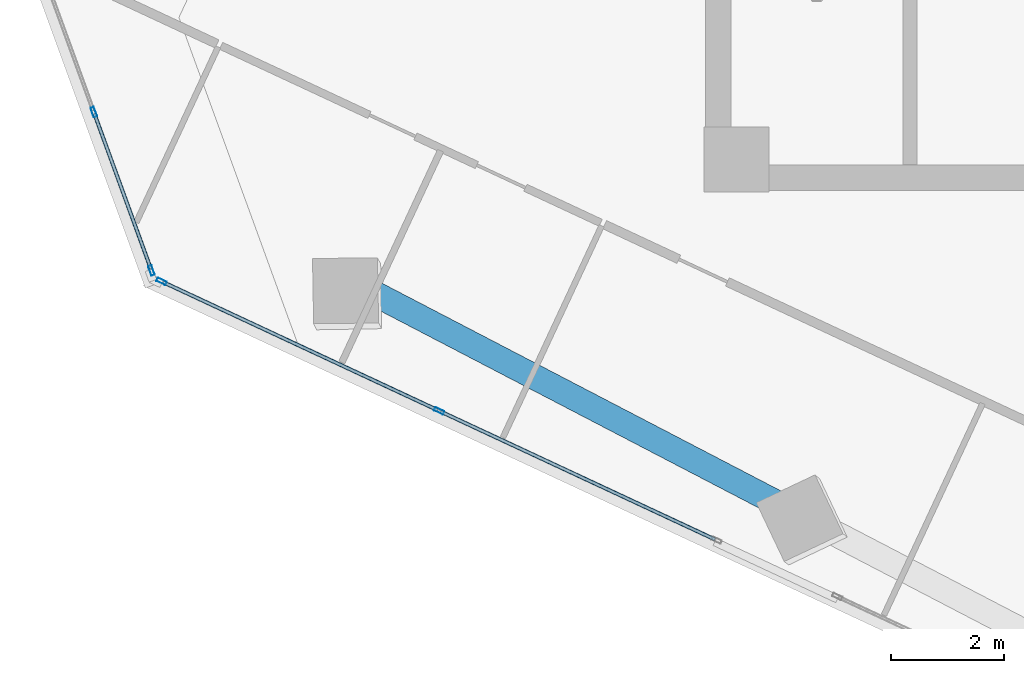
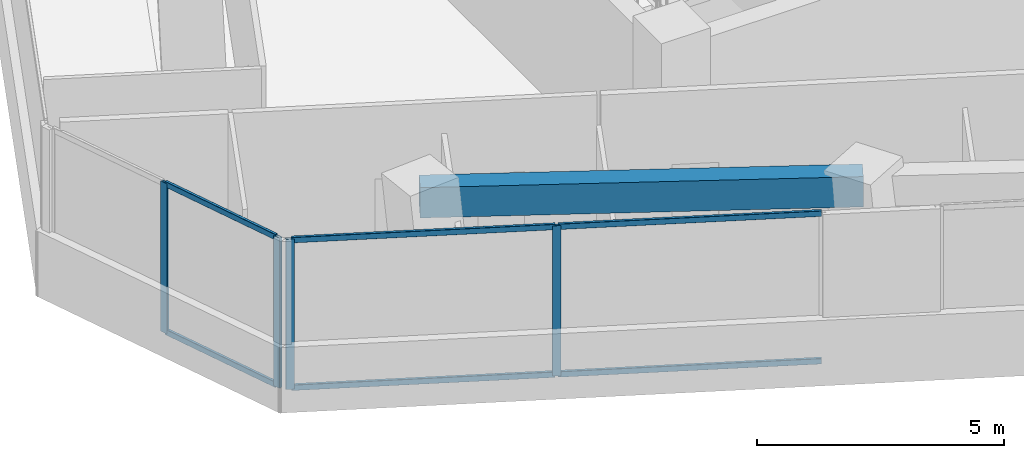
# One storey, part 3 of 21: 10 members, 1 beam, 2 elements without a shape of their own.
"""IFC4 building model written with IfcOpenShell, lengths in metres."""

from ifc_helpers import new_model, si_unit, direction, frame, origin, origin_2d, place, context, subcontext, project, spatial, rectangle, hollow_rectangle, extrude, source, transform, mapped, material, material_profile, profile_set, type_object, element, aggregate, save


model = new_model("IFC4")

# Units and contexts
model_context = context("Model", 3, precision=1e-05, world=origin(), true_north=direction((0.0, 1.0)))
body_context = subcontext(model_context, "Body", "Model", "MODEL_VIEW")
ifc_project = project(units=[si_unit("LENGTHUNIT", "METRE"), si_unit("AREAUNIT", "SQUARE_METRE"), si_unit("VOLUMEUNIT", "CUBIC_METRE"), si_unit("PLANEANGLEUNIT", "RADIAN"), si_unit("MASSUNIT", "GRAM", prefix="KILO")], contexts=[model_context])

# Site, building, storey
site_placement = place(None, origin())
site = spatial("IfcSite", under=ifc_project, at=site_placement, CompositionType="ELEMENT")
building_placement = place(site_placement, origin())
building = spatial("IfcBuilding", under=site, at=building_placement, Name="Torre Montelarca", CompositionType="ELEMENT")
storey_placement = place(building_placement, frame((0.0, 0.0, 162.39990234375)))
storey = spatial("IfcBuildingStorey", under=building, at=storey_placement, Name="L36", CompositionType="ELEMENT", Elevation=162.39990234375)

# Beam
ifc_material_1 = material(Name="Concrete C55/67", Category="concrete")
ifc_material_profile_1 = material_profile(ifc_material_1, rectangle(XDim=0.449951171875, YDim=0.75, at=origin_2d()), Name="RCB450X750", Category="concrete")
ifc_profile_set_1 = profile_set([ifc_material_profile_1], Name="Concrete C55/67")
beam_type = type_object("IfcBeamType", Name="BM-SP-RC750-EXT", PredefinedType="SPANDREL", material=ifc_profile_set_1)
shared_shape_1 = source(origin(), body_context, "Body", "SweptSolid", [
    extrude(rectangle(XDim=0.449951171875, YDim=0.75, at=origin_2d()), origin(), (0.0, 0.0, 1.0), 9.0),
])
beam_placement = place(storey_placement, frame((2.47021484375, 22.515380859375, 3.585205078125), z_axis=(0.887011077451, -0.461748143991, 0.0), x_axis=(0.461748143991, 0.887011077451, 0.0)))
element("IfcBeam", 1, at=beam_placement, inside=storey, type_object=beam_type, Name="L36 Grid Girder X 9.0-18.0 at Y=14.8", PredefinedType="SPANDREL", context=body_context, shape_type="MappedRepresentation", body=[
    mapped(shared_shape_1, transform((0.0, 0.0, 0.0), scale=1.0)),
])

# Curtain wall, members
ifc_material_2 = material(Name="Insulated low-E laminated glass", Category="glass")
curtain_wall_type = type_object("IfcCurtainWallType", Name="CW-SYS-Z2", PredefinedType="USERDEFINED", material=ifc_material_2)
curtain_wall_1_placement = place(storey_placement, origin())
curtain_wall_1 = element("IfcCurtainWall", 2, at=curtain_wall_1_placement, inside=storey, type_object=curtain_wall_type, Name="L36 Curtain Wall Run CW-T3-L36-E11-B1", ObjectType="UNITISED GLAZING", PredefinedType="USERDEFINED")
ifc_material_3 = material(Name="Anodised aluminium AA 6063-T6", Category="aluminium")
ifc_material_profile_2 = material_profile(ifc_material_3, hollow_rectangle(XDim=0.06494140625, YDim=0.139892578125, WallThickness=0.00390625, InnerFilletRadius=0.00390625, OuterFilletRadius=0.008056640625, at=origin_2d()), Name="ALU65X140X4", Category="aluminium")
ifc_profile_set_2 = profile_set([ifc_material_profile_2], Name="Anodised aluminium AA 6063-T6")
member_type_1 = type_object("IfcMemberType", Name="CWT-ALU140", PredefinedType="USERDEFINED", material=ifc_profile_set_2)
shared_shape_2 = source(origin(), body_context, "Body", "SweptSolid", [
    extrude(hollow_rectangle(XDim=0.06494140625, YDim=0.139892578125, WallThickness=0.00390625, InnerFilletRadius=0.00390625, OuterFilletRadius=0.008056640625, at=origin_2d()), origin(), (0.0, 0.0, 1.0), 2.918701171875),
])
member_1_placement = place(storey_placement, frame((-1.828857421875, 25.355712890625, 0.03271484375), z_axis=(0.342031842172, -0.939688362671, 0.0), x_axis=(0.939688362671, 0.342031842172, 0.0)))
member_1 = element("IfcMember", 3, at=member_1_placement, type_object=member_type_1, Name="CW transom 2.1", ObjectType="TRANSOM", PredefinedType="USERDEFINED", context=body_context, shape_type="MappedRepresentation", body=[
    mapped(shared_shape_2, transform((0.0, 0.0, 0.0), scale=1.0)),
])
member_2_placement = place(storey_placement, frame((-1.828857421875, 25.355712890625, 3.6875), z_axis=(0.342031842172, -0.939688362671, 0.0), x_axis=(0.939688362671, 0.342031842172, 0.0)))
member_2 = element("IfcMember", 4, at=member_2_placement, type_object=member_type_1, Name="CW transom 2.2", ObjectType="TRANSOM", PredefinedType="USERDEFINED", context=body_context, shape_type="MappedRepresentation", body=[
    mapped(shared_shape_2, transform((0.0, 0.0, 0.0), scale=1.0)),
])

curtain_wall_2_placement = place(storey_placement, origin())
curtain_wall_2 = element("IfcCurtainWall", 5, at=curtain_wall_2_placement, inside=storey, type_object=curtain_wall_type, Name="L36 Curtain Wall Run CW-T3-L36-E01-B1", ObjectType="UNITISED GLAZING", PredefinedType="USERDEFINED")
ifc_material_profile_3 = material_profile(ifc_material_3, hollow_rectangle(XDim=0.06494140625, YDim=0.179931640625, WallThickness=0.00390625, InnerFilletRadius=0.00390625, OuterFilletRadius=0.008056640625, at=origin_2d()), Name="ALU65X180X4", Category="aluminium")
ifc_profile_set_3 = profile_set([ifc_material_profile_3], Name="Anodised aluminium AA 6063-T6")
member_type_2 = type_object("IfcMemberType", Name="CWM-ALU180", PredefinedType="MULLION", material=ifc_profile_set_3)
shared_shape_3 = source(origin(), body_context, "Body", "SweptSolid", [
    extrude(hollow_rectangle(XDim=0.06494140625, YDim=0.179931640625, WallThickness=0.00390625, InnerFilletRadius=0.00390625, OuterFilletRadius=0.008056640625, at=origin_2d()), origin(), (0.0, 0.0, 1.0), 3.72021484375),
])
member_3_placement = place(storey_placement, frame((-0.63916015625, 22.385498046875, 0.0), z_axis=(0.0, 0.0, 1.0), x_axis=(0.422611185521, 0.906311086698, 0.0)))
member_3 = element("IfcMember", 6, at=member_3_placement, type_object=member_type_2, Name="CW mullion 1", PredefinedType="MULLION", context=body_context, shape_type="MappedRepresentation", body=[
    mapped(shared_shape_3, transform((0.0, 0.0, 0.0), scale=1.0)),
])
member_4_placement = place(storey_placement, frame((4.279296875, 20.092041015625, 0.0), z_axis=(0.0, 0.0, 1.0), x_axis=(0.422611185521, 0.906311086698, 0.0)))
member_4 = element("IfcMember", 7, at=member_4_placement, type_object=member_type_2, Name="CW mullion 2", PredefinedType="MULLION", context=body_context, shape_type="MappedRepresentation", body=[
    mapped(shared_shape_3, transform((0.0, 0.0, 0.0), scale=1.0)),
])

# Member
member_5_placement = place(storey_placement, frame((-1.83984375, 25.38623046875, 0.0), z_axis=(0.0, 0.0, 1.0), x_axis=(0.939694159282, 0.342015916313, 0.0)))
member_5 = element("IfcMember", 8, at=member_5_placement, type_object=member_type_2, Name="CW mullion 2", PredefinedType="MULLION", context=body_context, shape_type="MappedRepresentation", body=[
    mapped(shared_shape_3, transform((0.0, 0.0, 0.0), scale=1.0)),
])

member_6_placement = place(storey_placement, frame((-0.819580078125, 22.58251953125, 0.0), z_axis=(0.0, 0.0, 1.0), x_axis=(0.939694159282, 0.342015916313, 0.0)))
member_6 = element("IfcMember", 9, at=member_6_placement, type_object=member_type_2, Name="CW mullion 3", PredefinedType="MULLION", context=body_context, shape_type="MappedRepresentation", body=[
    mapped(shared_shape_3, transform((0.0, 0.0, 0.0), scale=1.0)),
])

aggregate(curtain_wall_1, [member_5, member_6, member_1, member_2])

shared_shape_4 = source(origin(), body_context, "Body", "SweptSolid", [
    extrude(hollow_rectangle(XDim=0.06494140625, YDim=0.139892578125, WallThickness=0.00390625, InnerFilletRadius=0.00390625, OuterFilletRadius=0.008056640625, at=origin_2d()), origin(), (0.0, 0.0, 1.0), 5.361572265625),
])
member_7_placement = place(storey_placement, frame((-0.609619140625, 22.371826171875, 0.03271484375), z_axis=(0.906314547402, -0.422603763788, 0.0), x_axis=(0.422603763788, 0.906314547402, 0.0)))
member_7 = element("IfcMember", 10, at=member_7_placement, type_object=member_type_1, Name="CW transom 1.1", ObjectType="TRANSOM", PredefinedType="USERDEFINED", context=body_context, shape_type="MappedRepresentation", body=[
    mapped(shared_shape_4, transform((0.0, 0.0, 0.0), scale=1.0)),
])

member_8_placement = place(storey_placement, frame((-0.609619140625, 22.371826171875, 3.6875), z_axis=(0.906314547402, -0.422603763788, 0.0), x_axis=(0.422603763788, 0.906314547402, 0.0)))
member_8 = element("IfcMember", 11, at=member_8_placement, type_object=member_type_1, Name="CW transom 1.2", ObjectType="TRANSOM", PredefinedType="USERDEFINED", context=body_context, shape_type="MappedRepresentation", body=[
    mapped(shared_shape_4, transform((0.0, 0.0, 0.0), scale=1.0)),
])

member_9_placement = place(storey_placement, frame((4.30859375, 20.078369140625, 0.03271484375), z_axis=(0.906314547402, -0.422603763788, 0.0), x_axis=(0.422603763788, 0.906314547402, 0.0)))
member_9 = element("IfcMember", 12, at=member_9_placement, type_object=member_type_1, Name="CW transom 2.1", ObjectType="TRANSOM", PredefinedType="USERDEFINED", context=body_context, shape_type="MappedRepresentation", body=[
    mapped(shared_shape_4, transform((0.0, 0.0, 0.0), scale=1.0)),
])

member_10_placement = place(storey_placement, frame((4.30859375, 20.078369140625, 3.6875), z_axis=(0.906314547402, -0.422603763788, 0.0), x_axis=(0.422603763788, 0.906314547402, 0.0)))
member_10 = element("IfcMember", 13, at=member_10_placement, type_object=member_type_1, Name="CW transom 2.2", ObjectType="TRANSOM", PredefinedType="USERDEFINED", context=body_context, shape_type="MappedRepresentation", body=[
    mapped(shared_shape_4, transform((0.0, 0.0, 0.0), scale=1.0)),
])

aggregate(curtain_wall_2, [member_3, member_4, member_7, member_8, member_9, member_10])

save(model, "model.ifc")
